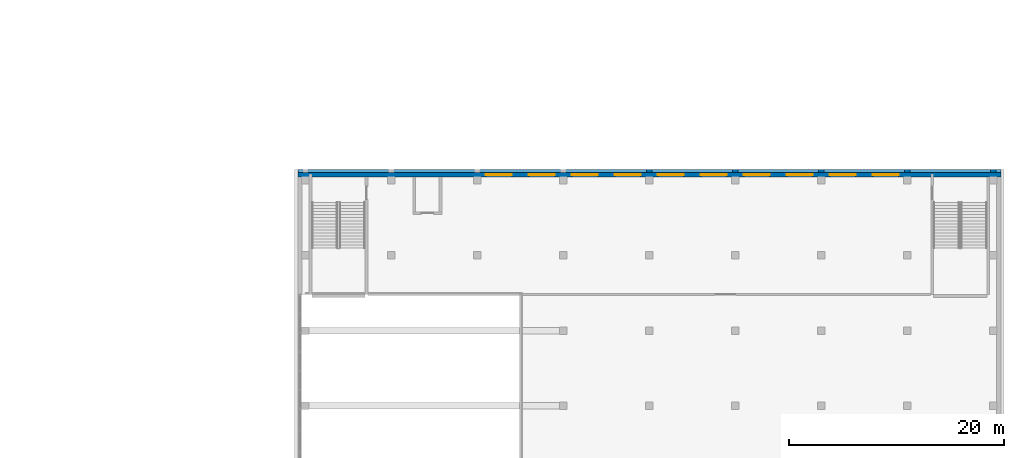
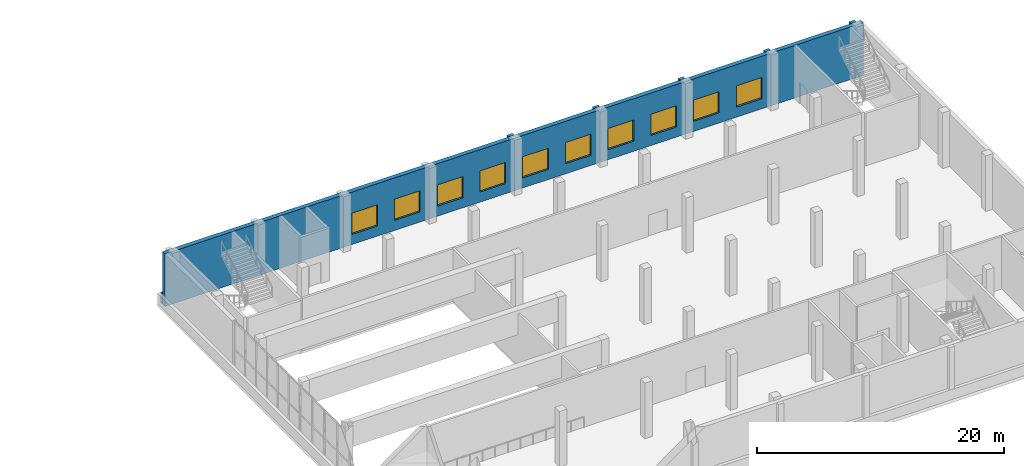
# One storey, part 15 of 35: 10 windows, 7 walls, 10 openings.
"""IFC4 building model written with IfcOpenShell, lengths in metres."""

from ifc_helpers import new_model, si_unit, direction, frame, frame_2d, origin, place, context, subcontext, project, spatial, rectangle, extrude, material, layer, layer_set, type_object, element, fill, save


model = new_model("IFC4")

# Units and contexts
model_context = context("Model", 3, precision=1e-05, world=origin(), true_north=direction((0.0, 1.0)))
body_context = subcontext(model_context, "Body", "Model", "MODEL_VIEW")
ifc_project = project(units=[si_unit("LENGTHUNIT", "METRE"), si_unit("AREAUNIT", "SQUARE_METRE"), si_unit("VOLUMEUNIT", "CUBIC_METRE"), si_unit("PLANEANGLEUNIT", "RADIAN"), si_unit("MASSUNIT", "GRAM", prefix="KILO")], contexts=[model_context])

# Site, building, storey
site_placement = place(None, origin())
site = spatial("IfcSite", under=ifc_project, at=site_placement, CompositionType="ELEMENT")
building_placement = place(site_placement, origin())
building = spatial("IfcBuilding", under=site, at=building_placement, Name="Tamorin Gate", CompositionType="ELEMENT")
storey_placement = place(building_placement, frame((0.0, 0.0, 8.0)))
storey = spatial("IfcBuildingStorey", under=building, at=storey_placement, Name="L01", CompositionType="ELEMENT", Elevation=8.0)

# Wall, openings, windows
ifc_material_1 = material(Name="Concrete C40/50", Category="concrete")
ifc_layer_1 = layer(ifc_material_1, 0.39990234375)
ifc_layer_set_1 = layer_set([ifc_layer_1], Name="Board-marked concrete facade wall 400 C40/50")
wall_type_1 = type_object("IfcWallType", Name="Board-marked concrete facade wall 400 C40/50", PredefinedType="SOLIDWALL", material=ifc_layer_set_1)
wall_1_placement = place(storey_placement, frame((145.0, 98.199951171875, 0.0), z_axis=(0.0, 0.0, 1.0), x_axis=(1.0, 0.0, 0.0)))
wall_1 = element("IfcWall", 1, at=wall_1_placement, inside=storey, type_object=wall_type_1, Name="Facade wall", PredefinedType="SOLIDWALL", context=body_context, shape_type="SweptSolid", body=[
    extrude(rectangle(XDim=65.39990234375, YDim=0.39990234375, at=frame_2d((32.699951171875, 0.0))), origin(), (0.0, 0.0, 1.0), 5.199951171875),
])
opening_1_placement = place(wall_1_placement, frame((17.5, 0.0, 1.0)))
opening_1 = element("IfcOpeningElement", 2, at=opening_1_placement, cuts=wall_1, Name="Opening WNM1", PredefinedType="OPENING", context=body_context, shape_type="SweptSolid", body=[
    extrude(rectangle(XDim=2.39990234375, YDim=2.10009765625, at=frame_2d((1.199951171875, 1.050048828125))), frame((0.0, 0.2099609375, 0.0), z_axis=(0.0, -1.0, 0.0), x_axis=(1.0, 0.0, 0.0)), (0.0, 0.0, 1.0), 0.419921875),
])
opening_2_placement = place(wall_1_placement, frame((21.5, 0.0, 1.0)))
opening_2 = element("IfcOpeningElement", 3, at=opening_2_placement, cuts=wall_1, Name="Opening WNM1", PredefinedType="OPENING", context=body_context, shape_type="SweptSolid", body=[
    extrude(rectangle(XDim=2.39990234375, YDim=2.10009765625, at=frame_2d((1.199951171875, 1.050048828125))), frame((0.0, 0.2099609375, 0.0), z_axis=(0.0, -1.0, 0.0), x_axis=(1.0, 0.0, 0.0)), (0.0, 0.0, 1.0), 0.419921875),
])
opening_3_placement = place(wall_1_placement, frame((25.5, 0.0, 1.0)))
opening_3 = element("IfcOpeningElement", 4, at=opening_3_placement, cuts=wall_1, Name="Opening WNM1", PredefinedType="OPENING", context=body_context, shape_type="SweptSolid", body=[
    extrude(rectangle(XDim=2.39990234375, YDim=2.10009765625, at=frame_2d((1.199951171875, 1.050048828125))), frame((0.0, 0.2099609375, 0.0), z_axis=(0.0, -1.0, 0.0), x_axis=(1.0, 0.0, 0.0)), (0.0, 0.0, 1.0), 0.419921875),
])
opening_4_placement = place(wall_1_placement, frame((29.5, 0.0, 1.0)))
opening_4 = element("IfcOpeningElement", 5, at=opening_4_placement, cuts=wall_1, Name="Opening WNM1", PredefinedType="OPENING", context=body_context, shape_type="SweptSolid", body=[
    extrude(rectangle(XDim=2.39990234375, YDim=2.10009765625, at=frame_2d((1.199951171875, 1.050048828125))), frame((0.0, 0.2099609375, 0.0), z_axis=(0.0, -1.0, 0.0), x_axis=(1.0, 0.0, 0.0)), (0.0, 0.0, 1.0), 0.419921875),
])
opening_5_placement = place(wall_1_placement, frame((33.5, 0.0, 1.0)))
opening_5 = element("IfcOpeningElement", 6, at=opening_5_placement, cuts=wall_1, Name="Opening WNM1", PredefinedType="OPENING", context=body_context, shape_type="SweptSolid", body=[
    extrude(rectangle(XDim=2.39990234375, YDim=2.10009765625, at=frame_2d((1.199951171875, 1.050048828125))), frame((0.0, 0.2099609375, 0.0), z_axis=(0.0, -1.0, 0.0), x_axis=(1.0, 0.0, 0.0)), (0.0, 0.0, 1.0), 0.419921875),
])
opening_6_placement = place(wall_1_placement, frame((37.5, 0.0, 1.0)))
opening_6 = element("IfcOpeningElement", 7, at=opening_6_placement, cuts=wall_1, Name="Opening WNM1", PredefinedType="OPENING", context=body_context, shape_type="SweptSolid", body=[
    extrude(rectangle(XDim=2.39990234375, YDim=2.10009765625, at=frame_2d((1.199951171875, 1.050048828125))), frame((0.0, 0.2099609375, 0.0), z_axis=(0.0, -1.0, 0.0), x_axis=(1.0, 0.0, 0.0)), (0.0, 0.0, 1.0), 0.419921875),
])
opening_7_placement = place(wall_1_placement, frame((41.5, 0.0, 1.0)))
opening_7 = element("IfcOpeningElement", 8, at=opening_7_placement, cuts=wall_1, Name="Opening WNM1", PredefinedType="OPENING", context=body_context, shape_type="SweptSolid", body=[
    extrude(rectangle(XDim=2.39990234375, YDim=2.10009765625, at=frame_2d((1.199951171875, 1.050048828125))), frame((0.0, 0.2099609375, 0.0), z_axis=(0.0, -1.0, 0.0), x_axis=(1.0, 0.0, 0.0)), (0.0, 0.0, 1.0), 0.419921875),
])
opening_8_placement = place(wall_1_placement, frame((45.5, 0.0, 1.0)))
opening_8 = element("IfcOpeningElement", 9, at=opening_8_placement, cuts=wall_1, Name="Opening WNM1", PredefinedType="OPENING", context=body_context, shape_type="SweptSolid", body=[
    extrude(rectangle(XDim=2.39990234375, YDim=2.10009765625, at=frame_2d((1.199951171875, 1.050048828125))), frame((0.0, 0.2099609375, 0.0), z_axis=(0.0, -1.0, 0.0), x_axis=(1.0, 0.0, 0.0)), (0.0, 0.0, 1.0), 0.419921875),
])
opening_9_placement = place(wall_1_placement, frame((49.5, 0.0, 1.0)))
opening_9 = element("IfcOpeningElement", 10, at=opening_9_placement, cuts=wall_1, Name="Opening WNM1", PredefinedType="OPENING", context=body_context, shape_type="SweptSolid", body=[
    extrude(rectangle(XDim=2.39990234375, YDim=2.10009765625, at=frame_2d((1.199951171875, 1.050048828125))), frame((0.0, 0.2099609375, 0.0), z_axis=(0.0, -1.0, 0.0), x_axis=(1.0, 0.0, 0.0)), (0.0, 0.0, 1.0), 0.419921875),
])
opening_10_placement = place(wall_1_placement, frame((53.5, 0.0, 1.0)))
opening_10 = element("IfcOpeningElement", 11, at=opening_10_placement, cuts=wall_1, Name="Opening WNM1", PredefinedType="OPENING", context=body_context, shape_type="SweptSolid", body=[
    extrude(rectangle(XDim=2.39990234375, YDim=2.10009765625, at=frame_2d((1.199951171875, 1.050048828125))), frame((0.0, 0.2099609375, 0.0), z_axis=(0.0, -1.0, 0.0), x_axis=(1.0, 0.0, 0.0)), (0.0, 0.0, 1.0), 0.419921875),
])
ifc_material_2 = material(Name="Aluminium and glass", Category="aluminium")
window_type = type_object("IfcWindowType", Name="Deep-set window 2400x1500", PartitioningType="SINGLE_PANEL", PredefinedType="WINDOW", material=ifc_material_2)
window_1_placement = place(opening_1_placement, origin())
window_1 = element("IfcWindow", 12, at=window_1_placement, inside=storey, type_object=window_type, Name="Deep-set window", OverallHeight=2.10009765625, OverallWidth=2.39990234375, PartitioningType="SINGLE_PANEL", PredefinedType="WINDOW", context=body_context, shape_type="SweptSolid", body=[
    extrude(rectangle(XDim=2.39990234375, YDim=2.10009765625, at=frame_2d((1.199951171875, 1.050048828125))), frame((0.0, 0.030029296875, 0.0), z_axis=(0.0, -1.0, 0.0), x_axis=(1.0, 0.0, 0.0)), (0.0, 0.0, 1.0), 0.06005859375),
])
fill(opening_1, window_1)
window_2_placement = place(opening_2_placement, origin())
window_2 = element("IfcWindow", 13, at=window_2_placement, inside=storey, type_object=window_type, Name="Deep-set window", OverallHeight=2.10009765625, OverallWidth=2.39990234375, PartitioningType="SINGLE_PANEL", PredefinedType="WINDOW", context=body_context, shape_type="SweptSolid", body=[
    extrude(rectangle(XDim=2.39990234375, YDim=2.10009765625, at=frame_2d((1.199951171875, 1.050048828125))), frame((0.0, 0.030029296875, 0.0), z_axis=(0.0, -1.0, 0.0), x_axis=(1.0, 0.0, 0.0)), (0.0, 0.0, 1.0), 0.06005859375),
])
fill(opening_2, window_2)
window_3_placement = place(opening_3_placement, origin())
window_3 = element("IfcWindow", 14, at=window_3_placement, inside=storey, type_object=window_type, Name="Deep-set window", OverallHeight=2.10009765625, OverallWidth=2.39990234375, PartitioningType="SINGLE_PANEL", PredefinedType="WINDOW", context=body_context, shape_type="SweptSolid", body=[
    extrude(rectangle(XDim=2.39990234375, YDim=2.10009765625, at=frame_2d((1.199951171875, 1.050048828125))), frame((0.0, 0.030029296875, 0.0), z_axis=(0.0, -1.0, 0.0), x_axis=(1.0, 0.0, 0.0)), (0.0, 0.0, 1.0), 0.06005859375),
])
fill(opening_3, window_3)
window_4_placement = place(opening_4_placement, origin())
window_4 = element("IfcWindow", 15, at=window_4_placement, inside=storey, type_object=window_type, Name="Deep-set window", OverallHeight=2.10009765625, OverallWidth=2.39990234375, PartitioningType="SINGLE_PANEL", PredefinedType="WINDOW", context=body_context, shape_type="SweptSolid", body=[
    extrude(rectangle(XDim=2.39990234375, YDim=2.10009765625, at=frame_2d((1.199951171875, 1.050048828125))), frame((0.0, 0.030029296875, 0.0), z_axis=(0.0, -1.0, 0.0), x_axis=(1.0, 0.0, 0.0)), (0.0, 0.0, 1.0), 0.06005859375),
])
fill(opening_4, window_4)
window_5_placement = place(opening_5_placement, origin())
window_5 = element("IfcWindow", 16, at=window_5_placement, inside=storey, type_object=window_type, Name="Deep-set window", OverallHeight=2.10009765625, OverallWidth=2.39990234375, PartitioningType="SINGLE_PANEL", PredefinedType="WINDOW", context=body_context, shape_type="SweptSolid", body=[
    extrude(rectangle(XDim=2.39990234375, YDim=2.10009765625, at=frame_2d((1.199951171875, 1.050048828125))), frame((0.0, 0.030029296875, 0.0), z_axis=(0.0, -1.0, 0.0), x_axis=(1.0, 0.0, 0.0)), (0.0, 0.0, 1.0), 0.06005859375),
])
fill(opening_5, window_5)
window_6_placement = place(opening_6_placement, origin())
window_6 = element("IfcWindow", 17, at=window_6_placement, inside=storey, type_object=window_type, Name="Deep-set window", OverallHeight=2.10009765625, OverallWidth=2.39990234375, PartitioningType="SINGLE_PANEL", PredefinedType="WINDOW", context=body_context, shape_type="SweptSolid", body=[
    extrude(rectangle(XDim=2.39990234375, YDim=2.10009765625, at=frame_2d((1.199951171875, 1.050048828125))), frame((0.0, 0.030029296875, 0.0), z_axis=(0.0, -1.0, 0.0), x_axis=(1.0, 0.0, 0.0)), (0.0, 0.0, 1.0), 0.06005859375),
])
fill(opening_6, window_6)
window_7_placement = place(opening_7_placement, origin())
window_7 = element("IfcWindow", 18, at=window_7_placement, inside=storey, type_object=window_type, Name="Deep-set window", OverallHeight=2.10009765625, OverallWidth=2.39990234375, PartitioningType="SINGLE_PANEL", PredefinedType="WINDOW", context=body_context, shape_type="SweptSolid", body=[
    extrude(rectangle(XDim=2.39990234375, YDim=2.10009765625, at=frame_2d((1.199951171875, 1.050048828125))), frame((0.0, 0.030029296875, 0.0), z_axis=(0.0, -1.0, 0.0), x_axis=(1.0, 0.0, 0.0)), (0.0, 0.0, 1.0), 0.06005859375),
])
fill(opening_7, window_7)
window_8_placement = place(opening_8_placement, origin())
window_8 = element("IfcWindow", 19, at=window_8_placement, inside=storey, type_object=window_type, Name="Deep-set window", OverallHeight=2.10009765625, OverallWidth=2.39990234375, PartitioningType="SINGLE_PANEL", PredefinedType="WINDOW", context=body_context, shape_type="SweptSolid", body=[
    extrude(rectangle(XDim=2.39990234375, YDim=2.10009765625, at=frame_2d((1.199951171875, 1.050048828125))), frame((0.0, 0.030029296875, 0.0), z_axis=(0.0, -1.0, 0.0), x_axis=(1.0, 0.0, 0.0)), (0.0, 0.0, 1.0), 0.06005859375),
])
fill(opening_8, window_8)
window_9_placement = place(opening_9_placement, origin())
window_9 = element("IfcWindow", 20, at=window_9_placement, inside=storey, type_object=window_type, Name="Deep-set window", OverallHeight=2.10009765625, OverallWidth=2.39990234375, PartitioningType="SINGLE_PANEL", PredefinedType="WINDOW", context=body_context, shape_type="SweptSolid", body=[
    extrude(rectangle(XDim=2.39990234375, YDim=2.10009765625, at=frame_2d((1.199951171875, 1.050048828125))), frame((0.0, 0.030029296875, 0.0), z_axis=(0.0, -1.0, 0.0), x_axis=(1.0, 0.0, 0.0)), (0.0, 0.0, 1.0), 0.06005859375),
])
fill(opening_9, window_9)
window_10_placement = place(opening_10_placement, origin())
window_10 = element("IfcWindow", 21, at=window_10_placement, inside=storey, type_object=window_type, Name="Deep-set window", OverallHeight=2.10009765625, OverallWidth=2.39990234375, PartitioningType="SINGLE_PANEL", PredefinedType="WINDOW", context=body_context, shape_type="SweptSolid", body=[
    extrude(rectangle(XDim=2.39990234375, YDim=2.10009765625, at=frame_2d((1.199951171875, 1.050048828125))), frame((0.0, 0.030029296875, 0.0), z_axis=(0.0, -1.0, 0.0), x_axis=(1.0, 0.0, 0.0)), (0.0, 0.0, 1.0), 0.06005859375),
])
fill(opening_10, window_10)

# Walls
ifc_layer_2 = layer(ifc_material_1, 0.300048828125)
ifc_layer_set_2 = layer_set([ifc_layer_2], Name="Precast concrete band wall 300 C40/50")
wall_type_2 = type_object("IfcWallType", Name="Precast concrete band wall 300 C40/50", PredefinedType="STANDARD", material=ifc_layer_set_2)
wall_2_placement = place(storey_placement, frame((145.0, 98.550048828125, 0.0), z_axis=(0.0, 0.0, 1.0), x_axis=(1.0, 0.0, 0.0)))
element("IfcWall", 22, at=wall_2_placement, inside=storey, type_object=wall_type_2, Name="Precast band", PredefinedType="STANDARD", context=body_context, shape_type="SweptSolid", body=[
    extrude(rectangle(XDim=65.39990234375, YDim=0.300048828125, at=frame_2d((32.699951171875, 0.0))), origin(), (0.0, 0.0, 1.0), 1.0),
])
ifc_layer_3 = layer(ifc_material_1, 0.5)
ifc_layer_set_3 = layer_set([ifc_layer_3], Name="Precast rib wall 500 C40/50")
wall_type_3 = type_object("IfcWallType", Name="Precast rib wall 500 C40/50", PredefinedType="STANDARD", material=ifc_layer_set_3)
for number, where, z_axis, x_axis, name in (
    (23, (177.699951171875, 98.39990234375, 1.0), (0.0, 0.0, 1.0), (0.0, 1.0, 0.0), "Precast rib"),
    (24, (185.699951171875, 98.39990234375, 1.0), (0.0, 0.0, 1.0), (0.0, 1.0, 0.0), "Precast rib"),
    (25, (193.699951171875, 98.39990234375, 1.0), (0.0, 0.0, 1.0), (0.0, 1.0, 0.0), "Precast rib"),
    (26, (201.699951171875, 98.39990234375, 1.0), (0.0, 0.0, 1.0), (0.0, 1.0, 0.0), "Precast rib"),
    (27, (209.699951171875, 98.39990234375, 1.0), (0.0, 0.0, 1.0), (0.0, 1.0, 0.0), "Precast rib"),
):
    element("IfcWall", number, at=place(storey_placement, frame(where, z_axis=z_axis, x_axis=x_axis)), inside=storey, type_object=wall_type_3, Name=name, PredefinedType="STANDARD", context=body_context, shape_type="SweptSolid", body=[
        extrude(rectangle(XDim=0.300048828125, YDim=0.5, at=frame_2d((0.14990234375, 0.0))), origin(), (0.0, 0.0, 1.0), 4.199951171875),
    ])

save(model, "model.ifc")
